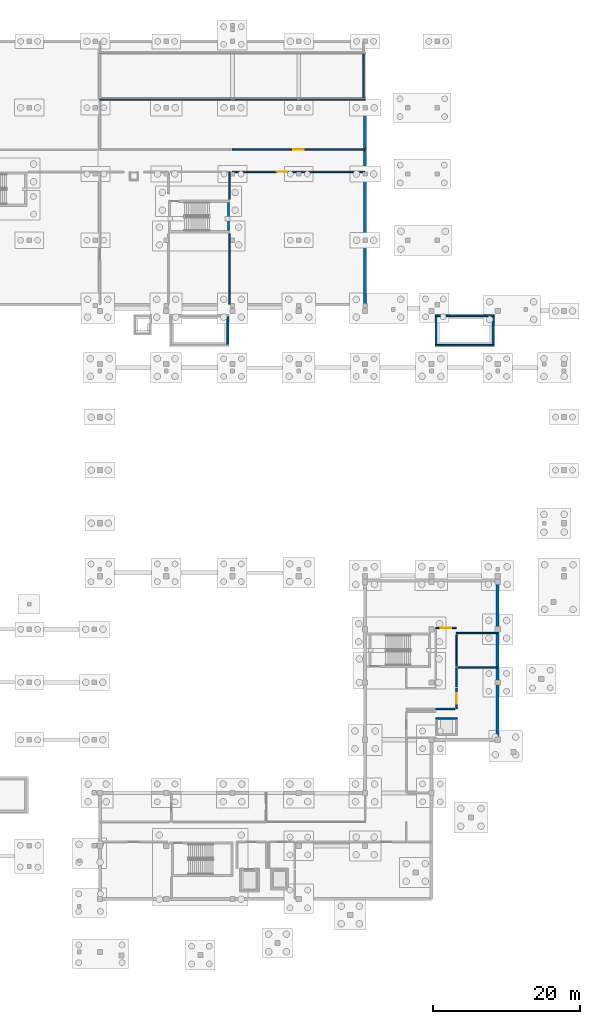
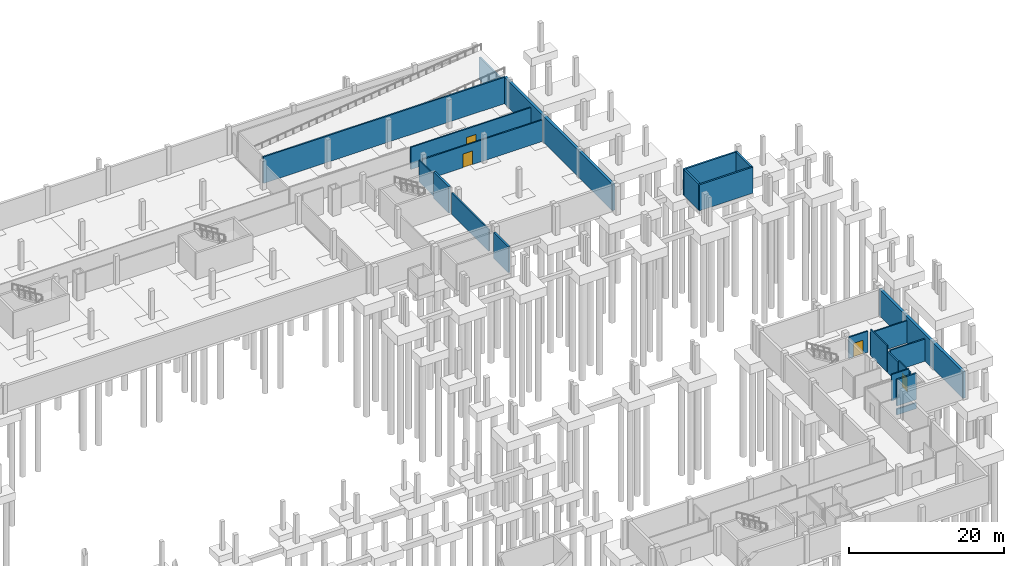
# One storey, part 25 of 36: 23 walls, 4 doors, 4 openings.
"""IFC4 building model written with IfcOpenShell, lengths in metres."""

from ifc_helpers import new_model, si_unit, direction, frame, frame_2d, origin, place, context, subcontext, project, spatial, rectangle, extrude, material, layer, layer_set, type_object, element, fill, save


model = new_model("IFC4")

# Units and contexts
model_context = context("Model", 3, precision=1e-05, world=origin(), true_north=direction((0.0, 1.0)))
body_context = subcontext(model_context, "Body", "Model", "MODEL_VIEW")
ifc_project = project(units=[si_unit("LENGTHUNIT", "METRE"), si_unit("AREAUNIT", "SQUARE_METRE"), si_unit("VOLUMEUNIT", "CUBIC_METRE"), si_unit("PLANEANGLEUNIT", "RADIAN"), si_unit("MASSUNIT", "GRAM", prefix="KILO")], contexts=[model_context])

# Site, building, storey
site_placement = place(None, origin())
site = spatial("IfcSite", under=ifc_project, at=site_placement, CompositionType="ELEMENT")
building_placement = place(site_placement, origin())
building = spatial("IfcBuilding", under=site, at=building_placement, Name="Chiffa Square Polytechnic", CompositionType="ELEMENT")
storey_placement = place(building_placement, frame((0.0, 0.0, -4.5)))
storey = spatial("IfcBuildingStorey", under=building, at=storey_placement, Name="B1", CompositionType="ELEMENT", Elevation=-4.5)

# Walls
ifc_material_1 = material(Name="Concrete C40/50", Category="concrete")
ifc_layer_1 = layer(ifc_material_1, 0.25, Name="Concrete C40/50")
ifc_layer_set_1 = layer_set([ifc_layer_1], Name="Concrete C40/50")
wall_type_1 = type_object("IfcWallType", Name="WL-CORE-250", PredefinedType="SHEAR", material=ifc_layer_set_1)
wall_1_placement = place(storey_placement, frame((129.574951171875, 89.675048828125, 0.0), z_axis=(0.0, 0.0, 1.0), x_axis=(0.0, 1.0, 0.0)))
element("IfcWall", 1, at=wall_1_placement, inside=storey, type_object=wall_type_1, Name="Core or enclosure wall WCSUB-CORE-V2A-B1-EAST", PredefinedType="SHEAR", context=body_context, shape_type="SweptSolid", body=[
    extrude(rectangle(XDim=3.7548828125, YDim=0.25, at=frame_2d((1.87744140625, 0.0))), origin(), (0.0, 0.0, 1.0), 4.080078125),
])
for number, where, z_axis, x_axis, name in (
    (2, (157.699951171875, 89.550048828125, 0.0), (0.0, 0.0, 1.0), (1.0, 0.0, 0.0), "Core or enclosure wall WCSUB-CORE-V2B-B1-SOUTH"),
    (3, (157.699951171875, 93.554931640625, 0.0), (0.0, 0.0, 1.0), (1.0, 0.0, 0.0), "Core or enclosure wall WCSUB-CORE-V2B-B1-NORTH"),
):
    element("IfcWall", number, at=place(storey_placement, frame(where, z_axis=z_axis, x_axis=x_axis)), inside=storey, type_object=wall_type_1, Name=name, PredefinedType="SHEAR", context=body_context, shape_type="SweptSolid", body=[
        extrude(rectangle(XDim=8.0, YDim=0.25, at=frame_2d((4.0, 0.0))), origin(), (0.0, 0.0, 1.0), 4.080078125),
    ])
for number, where, z_axis, x_axis, name in (
    (4, (157.824951171875, 89.675048828125, 0.0), (0.0, 0.0, 1.0), (0.0, 1.0, 0.0), "Core or enclosure wall WCSUB-CORE-V2B-B1-WEST"),
    (5, (165.574951171875, 89.675048828125, 0.0), (0.0, 0.0, 1.0), (0.0, 1.0, 0.0), "Core or enclosure wall WCSUB-CORE-V2B-B1-EAST"),
):
    element("IfcWall", number, at=place(storey_placement, frame(where, z_axis=z_axis, x_axis=x_axis)), inside=storey, type_object=wall_type_1, Name=name, PredefinedType="SHEAR", context=body_context, shape_type="SweptSolid", body=[
        extrude(rectangle(XDim=3.7548828125, YDim=0.25, at=frame_2d((1.87744140625, 0.0))), origin(), (0.0, 0.0, 1.0), 4.080078125),
    ])
ifc_layer_2 = layer(ifc_material_1, 0.300048828125, Name="Concrete C40/50")
ifc_layer_set_2 = layer_set([ifc_layer_2], Name="Concrete C40/50")
wall_type_2 = type_object("IfcWallType", Name="WL-CORE-300", PredefinedType="SHEAR", material=ifc_layer_set_2)
wall_2_placement = place(storey_placement, frame((129.64990234375, 105.10009765625, 0.0), z_axis=(0.0, 0.0, 1.0), x_axis=(0.0, 1.0, 0.0)))
element("IfcWall", 6, at=wall_2_placement, inside=storey, type_object=wall_type_2, Name="Core or enclosure wall WC-CORE-B1E-B1-EAST", PredefinedType="SHEAR", context=body_context, shape_type="SweptSolid", body=[
    extrude(rectangle(XDim=3.849853515625, YDim=0.300048828125, at=frame_2d((1.9248046875, 0.0))), origin(), (0.0, 0.0, 1.0), 4.14990234375),
])

# Wall, opening, door
ifc_material_2 = material(Name="Autoclaved aerated concrete blockwork", Category="masonry")
ifc_layer_3 = layer(ifc_material_2, 0.199951171875, Name="Autoclaved aerated concrete blockwork")
ifc_layer_set_3 = layer_set([ifc_layer_3], Name="Autoclaved aerated concrete blockwork")
wall_type_3 = type_object("IfcWallType", Name="WL-PART-EI120-200", PredefinedType="PARTITIONING", material=ifc_layer_set_3)
wall_3_placement = place(storey_placement, frame((160.60009765625, 40.199951171875, 0.0), z_axis=(0.0, 0.0, 1.0), x_axis=(0.0, 1.0, 0.0)))
wall_3 = element("IfcWall", 7, at=wall_3_placement, inside=storey, type_object=wall_type_3, Name="Interior partition WP-V1-B1-0013", PredefinedType="PARTITIONING", context=body_context, shape_type="SweptSolid", body=[
    extrude(rectangle(XDim=2.800048828125, YDim=0.199951171875, at=frame_2d((1.39990234375, 0.0))), origin(), (0.0, 0.0, 1.0), 3.5849609375),
])
opening_1_placement = place(wall_3_placement, frame((0.699951171875, 0.0, 0.0)))
opening_1 = element("IfcOpeningElement", 8, at=opening_1_placement, cuts=wall_3, Name="Opening DI-B1-053", PredefinedType="OPENING", context=body_context, shape_type="SweptSolid", body=[
    extrude(rectangle(XDim=1.39990234375, YDim=2.14990234375, at=frame_2d((0.699951171875, 1.074951171875))), frame((0.0, 0.10986328125, 0.0), z_axis=(0.0, -1.0, 0.0), x_axis=(1.0, 0.0, 0.0)), (0.0, 0.0, 1.0), 0.219970703125),
])
ifc_material_3 = material(Name="Louvred painted steel plant door", Category="steel")
door_type = type_object("IfcDoorType", Name="DR-PLANT-1400", OperationType="DOUBLE_DOOR_SINGLE_SWING", PredefinedType="DOOR", material=ifc_material_3)
door_1_placement = place(opening_1_placement, origin())
door_1 = element("IfcDoor", 9, at=door_1_placement, inside=storey, type_object=door_type, Name="Interior room door DI-B1-053", OperationType="DOUBLE_DOOR_SINGLE_SWING", OverallHeight=2.14990234375, OverallWidth=1.39990234375, PredefinedType="DOOR", context=body_context, shape_type="SweptSolid", body=[
    extrude(rectangle(XDim=1.39990234375, YDim=2.14990234375, at=frame_2d((0.699951171875, 1.074951171875))), frame((0.0, 0.02490234375, 0.0), z_axis=(0.0, -1.0, 0.0), x_axis=(1.0, 0.0, 0.0)), (0.0, 0.0, 1.0), 0.050048828125),
])
fill(opening_1, door_1)

# Walls
wall_4_placement = place(storey_placement, frame((157.800048828125, 40.199951171875, 0.0), z_axis=(0.0, 0.0, 1.0), x_axis=(1.0, 0.0, 0.0)))
element("IfcWall", 10, at=wall_4_placement, inside=storey, type_object=wall_type_3, Name="Interior partition WP-V1-B1-0014", PredefinedType="PARTITIONING", context=body_context, shape_type="SweptSolid", body=[
    extrude(rectangle(XDim=2.579833984375, YDim=0.199951171875, at=frame_2d((1.2900390625, 0.0))), origin(), (0.0, 0.0, 1.0), 4.14990234375),
])
wall_5_placement = place(storey_placement, frame((160.60009765625, 43.219970703125, 0.0), z_axis=(0.0, 0.0, 1.0), x_axis=(0.0, 1.0, 0.0)))
element("IfcWall", 11, at=wall_5_placement, inside=storey, type_object=wall_type_3, Name="Interior partition WP-V1-B1-0017", PredefinedType="PARTITIONING", context=body_context, shape_type="SweptSolid", body=[
    extrude(rectangle(XDim=2.580078125, YDim=0.199951171875, at=frame_2d((1.2900390625, 0.0))), origin(), (0.0, 0.0, 1.0), 3.3349609375),
])
wall_6_placement = place(storey_placement, frame((160.820068359375, 45.800048828125, 0.0), z_axis=(0.0, 0.0, 1.0), x_axis=(1.0, 0.0, 0.0)))
element("IfcWall", 12, at=wall_6_placement, inside=storey, type_object=wall_type_3, Name="Interior partition WP-V1-B1-0018", PredefinedType="PARTITIONING", context=body_context, shape_type="SweptSolid", body=[
    extrude(rectangle(XDim=5.324951171875, YDim=0.199951171875, at=frame_2d((2.66259765625, 0.0))), origin(), (0.0, 0.0, 1.0), 3.485107421875),
])

# Wall, opening, door
wall_7_placement = place(storey_placement, frame((157.800048828125, 51.199951171875, 0.0), z_axis=(0.0, 0.0, 1.0), x_axis=(1.0, 0.0, 0.0)))
wall_7 = element("IfcWall", 13, at=wall_7_placement, inside=storey, type_object=wall_type_3, Name="Interior partition WP-V1-B1-0023", PredefinedType="PARTITIONING", context=body_context, shape_type="SweptSolid", body=[
    extrude(rectangle(XDim=2.800048828125, YDim=0.199951171875, at=frame_2d((1.39990234375, 0.0))), origin(), (0.0, 0.0, 1.0), 3.3349609375),
])
opening_2_placement = place(wall_7_placement, frame((0.699951171875, 0.0, 0.0)))
opening_2 = element("IfcOpeningElement", 14, at=opening_2_placement, cuts=wall_7, Name="Opening DI-B1-055", PredefinedType="OPENING", context=body_context, shape_type="SweptSolid", body=[
    extrude(rectangle(XDim=1.39990234375, YDim=2.14990234375, at=frame_2d((0.699951171875, 1.074951171875))), frame((0.0, 0.10986328125, 0.0), z_axis=(0.0, -1.0, 0.0), x_axis=(1.0, 0.0, 0.0)), (0.0, 0.0, 1.0), 0.219970703125),
])
door_2_placement = place(opening_2_placement, origin())
door_2 = element("IfcDoor", 15, at=door_2_placement, inside=storey, type_object=door_type, Name="Interior room door DI-B1-055", OperationType="DOUBLE_DOOR_SINGLE_SWING", OverallHeight=2.14990234375, OverallWidth=1.39990234375, PredefinedType="DOOR", context=body_context, shape_type="SweptSolid", body=[
    extrude(rectangle(XDim=1.39990234375, YDim=2.14990234375, at=frame_2d((0.699951171875, 1.074951171875))), frame((0.0, 0.02490234375, 0.0), z_axis=(0.0, -1.0, 0.0), x_axis=(1.0, 0.0, 0.0)), (0.0, 0.0, 1.0), 0.050048828125),
])
fill(opening_2, door_2)

# Wall
wall_8_placement = place(storey_placement, frame((160.60009765625, 50.5, 0.0), z_axis=(0.0, 0.0, 1.0), x_axis=(1.0, 0.0, 0.0)))
element("IfcWall", 16, at=wall_8_placement, inside=storey, type_object=wall_type_3, Name="Interior partition WP-V1-B1-0024", PredefinedType="PARTITIONING", context=body_context, shape_type="SweptSolid", body=[
    extrude(rectangle(XDim=5.544921875, YDim=0.199951171875, at=frame_2d((2.7724609375, 0.0))), origin(), (0.0, 0.0, 1.0), 3.485107421875),
])

# Wall, opening, door
wall_9_placement = place(storey_placement, frame((130.199951171875, 113.10009765625, 0.0), z_axis=(0.0, 0.0, 1.0), x_axis=(1.0, 0.0, 0.0)))
wall_9 = element("IfcWall", 17, at=wall_9_placement, inside=storey, type_object=wall_type_3, Name="Interior partition WP-V5-B1-0040", PredefinedType="PARTITIONING", context=body_context, shape_type="SweptSolid", body=[
    extrude(rectangle(XDim=17.945068359375, YDim=0.199951171875, at=frame_2d((8.97265625, 0.0))), origin(), (0.0, 0.0, 1.0), 3.385009765625),
])
opening_3_placement = place(wall_9_placement, frame((6.01806640625, 0.0, 0.0)))
opening_3 = element("IfcOpeningElement", 18, at=opening_3_placement, cuts=wall_9, Name="Opening DI-B1-060", PredefinedType="OPENING", context=body_context, shape_type="SweptSolid", body=[
    extrude(rectangle(XDim=1.39990234375, YDim=2.14990234375, at=frame_2d((0.699951171875, 1.074951171875))), frame((0.0, 0.10986328125, 0.0), z_axis=(0.0, -1.0, 0.0), x_axis=(1.0, 0.0, 0.0)), (0.0, 0.0, 1.0), 0.219970703125),
])
door_3_placement = place(opening_3_placement, origin())
door_3 = element("IfcDoor", 19, at=door_3_placement, inside=storey, type_object=door_type, Name="Interior room door DI-B1-060", OperationType="DOUBLE_DOOR_SINGLE_SWING", OverallHeight=2.14990234375, OverallWidth=1.39990234375, PredefinedType="DOOR", context=body_context, shape_type="SweptSolid", body=[
    extrude(rectangle(XDim=1.39990234375, YDim=2.14990234375, at=frame_2d((0.699951171875, 1.074951171875))), frame((0.0, 0.02490234375, 0.0), z_axis=(0.0, -1.0, 0.0), x_axis=(1.0, 0.0, 0.0)), (0.0, 0.0, 1.0), 0.050048828125),
])
fill(opening_3, door_3)

# Walls
wall_10_placement = place(storey_placement, frame((129.800048828125, 109.340087890625, 0.0), z_axis=(0.0, 0.0, 1.0), x_axis=(0.0, 1.0, 0.0)))
element("IfcWall", 20, at=wall_10_placement, inside=storey, type_object=wall_type_3, Name="Interior partition WP-V5-B1-0041", PredefinedType="PARTITIONING", context=body_context, shape_type="SweptSolid", body=[
    extrude(rectangle(XDim=3.760009765625, YDim=0.199951171875, at=frame_2d((1.8798828125, 0.0))), origin(), (0.0, 0.0, 1.0), 3.385009765625),
])
wall_11_placement = place(storey_placement, frame((129.800048828125, 95.10498046875, 0.0), z_axis=(0.0, 0.0, 1.0), x_axis=(0.0, 1.0, 0.0)))
element("IfcWall", 21, at=wall_11_placement, inside=storey, type_object=wall_type_3, Name="Interior partition WP-V5-B1-0042", PredefinedType="PARTITIONING", context=body_context, shape_type="SweptSolid", body=[
    extrude(rectangle(XDim=9.60498046875, YDim=0.199951171875, at=frame_2d((4.802490234375, 0.0))), origin(), (0.0, 0.0, 1.0), 3.385009765625),
])

# Wall, opening, door
wall_12_placement = place(storey_placement, frame((130.199951171875, 116.10009765625, 0.0), z_axis=(0.0, 0.0, 1.0), x_axis=(1.0, 0.0, 0.0)))
wall_12 = element("IfcWall", 22, at=wall_12_placement, inside=storey, type_object=wall_type_3, Name="Interior partition WP-V5-B1-0049", PredefinedType="PARTITIONING", context=body_context, shape_type="SweptSolid", body=[
    extrude(rectangle(XDim=17.945068359375, YDim=0.199951171875, at=frame_2d((8.97265625, 0.0))), origin(), (0.0, 0.0, 1.0), 3.485107421875),
])
opening_4_placement = place(wall_12_placement, frame((8.27294921875, 0.0, 0.0)))
opening_4 = element("IfcOpeningElement", 23, at=opening_4_placement, cuts=wall_12, Name="Opening DI-B1-062", PredefinedType="OPENING", context=body_context, shape_type="SweptSolid", body=[
    extrude(rectangle(XDim=1.39990234375, YDim=2.14990234375, at=frame_2d((0.699951171875, 1.074951171875))), frame((0.0, 0.10986328125, 0.0), z_axis=(0.0, -1.0, 0.0), x_axis=(1.0, 0.0, 0.0)), (0.0, 0.0, 1.0), 0.219970703125),
])
door_4_placement = place(opening_4_placement, origin())
door_4 = element("IfcDoor", 24, at=door_4_placement, inside=storey, type_object=door_type, Name="Interior room door DI-B1-062", OperationType="DOUBLE_DOOR_SINGLE_SWING", OverallHeight=2.14990234375, OverallWidth=1.39990234375, PredefinedType="DOOR", context=body_context, shape_type="SweptSolid", body=[
    extrude(rectangle(XDim=1.39990234375, YDim=2.14990234375, at=frame_2d((0.699951171875, 1.074951171875))), frame((0.0, 0.02490234375, 0.0), z_axis=(0.0, -1.0, 0.0), x_axis=(1.0, 0.0, 0.0)), (0.0, 0.0, 1.0), 0.050048828125),
])
fill(opening_4, door_4)

# Walls
wall_13_placement = place(storey_placement, frame((147.97998046875, 123.1298828125, 0.0), z_axis=(0.0, 0.0, 1.0), x_axis=(0.0, 1.0, 0.0)))
element("IfcWall", 25, at=wall_13_placement, inside=storey, type_object=wall_type_3, Name="Interior partition WP-V5-B1-0054", PredefinedType="PARTITIONING", context=body_context, shape_type="SweptSolid", body=[
    extrude(rectangle(XDim=5.940185546875, YDim=0.199951171875, at=frame_2d((2.97021484375, 0.0))), origin(), (0.0, 0.0, 1.0), 3.56494140625),
])
ifc_material_4 = material(Name="Gypsum board on acoustic steel stud", Category="steel")
ifc_layer_4 = layer(ifc_material_4, 0.159912109375, Name="Gypsum board on acoustic steel stud")
ifc_layer_set_4 = layer_set([ifc_layer_4], Name="Gypsum board on acoustic steel stud")
wall_type_4 = type_object("IfcWallType", Name="WL-PART-EI60-160", PredefinedType="PARTITIONING", material=ifc_layer_set_4)
wall_14_placement = place(storey_placement, frame((160.60009765625, 46.02001953125, 0.0), z_axis=(0.0, 0.0, 1.0), x_axis=(0.0, 1.0, 0.0)))
element("IfcWall", 26, at=wall_14_placement, inside=storey, type_object=wall_type_4, Name="Interior partition WP-V1-B1-0061", PredefinedType="PARTITIONING", context=body_context, shape_type="SweptSolid", body=[
    extrude(rectangle(XDim=4.260009765625, YDim=0.159912109375, at=frame_2d((2.1298828125, 0.0))), origin(), (0.0, 0.0, 1.0), 4.14990234375),
])
ifc_material_5 = material(Name="Concrete C35/45", Category="concrete")
ifc_layer_5 = layer(ifc_material_5, 0.39990234375, Name="Concrete C35/45")
ifc_layer_set_5 = layer_set([ifc_layer_5], Name="Concrete C35/45")
wall_type_5 = type_object("IfcWallType", Name="WL-RET-400", PredefinedType="USERDEFINED", material=ifc_layer_set_5)
wall_15_placement = place(storey_placement, frame((166.199951171875, 36.0, 0.0), z_axis=(0.0, 0.0, 1.0), x_axis=(0.0, 1.0, 0.0)))
element("IfcWall", 27, at=wall_15_placement, inside=storey, type_object=wall_type_5, Name="Basement retaining wall WE-V1-B1-0004", ObjectType="RETAININGWALL", PredefinedType="USERDEFINED", context=body_context, shape_type="SweptSolid", body=[
    extrude(rectangle(XDim=21.60009765625, YDim=0.39990234375, at=frame_2d((10.800048828125, 0.0))), origin(), (0.0, 0.0, 1.0), 4.14990234375),
])
wall_16_placement = place(storey_placement, frame((148.199951171875, 95.050048828125, 0.0), z_axis=(0.0, 0.0, 1.0), x_axis=(0.0, 1.0, 0.0)))
element("IfcWall", 28, at=wall_16_placement, inside=storey, type_object=wall_type_5, Name="Basement retaining wall WE-V5-B1-0218", ObjectType="RETAININGWALL", PredefinedType="USERDEFINED", context=body_context, shape_type="SweptSolid", body=[
    extrude(rectangle(XDim=27.83984375, YDim=0.39990234375, at=frame_2d((13.919921875, 0.0))), origin(), (0.0, 0.0, 1.0), 4.14990234375),
])
ifc_layer_6 = layer(ifc_material_5, 0.219970703125, Name="Concrete C35/45")
ifc_layer_set_6 = layer_set([ifc_layer_6], Name="Concrete C35/45")
wall_type_6 = type_object("IfcWallType", Name="WL-SHAFT-220", PredefinedType="SHEAR", material=ifc_layer_set_6)
wall_17_placement = place(storey_placement, frame((157.800048828125, 38.889892578125, -1.39990234375), z_axis=(0.0, 0.0, 1.0), x_axis=(1.0, 0.0, 0.0)))
element("IfcWall", 29, at=wall_17_placement, inside=storey, type_object=wall_type_6, Name="Core or enclosure wall WS-PIT-LP-V1B-B1-NORTH", PredefinedType="SHEAR", context=body_context, shape_type="SweptSolid", body=[
    extrude(rectangle(XDim=2.89990234375, YDim=0.219970703125, at=frame_2d((1.449951171875, 0.0))), origin(), (0.0, 0.0, 1.0), 0.89990234375),
])
wall_18_placement = place(storey_placement, frame((157.800048828125, 38.889892578125, 0.0), z_axis=(0.0, 0.0, 1.0), x_axis=(1.0, 0.0, 0.0)))
element("IfcWall", 30, at=wall_18_placement, inside=storey, type_object=wall_type_6, Name="Core or enclosure wall WS-LP-V1B-B1-NORTH", PredefinedType="SHEAR", context=body_context, shape_type="SweptSolid", body=[
    extrude(rectangle(XDim=2.89990234375, YDim=0.219970703125, at=frame_2d((1.449951171875, 0.0))), origin(), (0.0, 0.0, 1.0), 4.14990234375),
])
wall_19_placement = place(storey_placement, frame((112.199951171875, 122.889892578125, 0.0), z_axis=(0.0, 0.0, 1.0), x_axis=(1.0, 0.0, 0.0)))
element("IfcWall", 31, at=wall_19_placement, inside=storey, type_object=wall_type_6, Name="Vehicle ramp south wall B1", PredefinedType="SHEAR", context=body_context, shape_type="SweptSolid", body=[
    extrude(rectangle(XDim=36.0, YDim=0.219970703125, at=frame_2d((18.0, 0.0))), origin(), (0.0, 0.0, 1.0), 4.14990234375),
])

save(model, "model.ifc")
